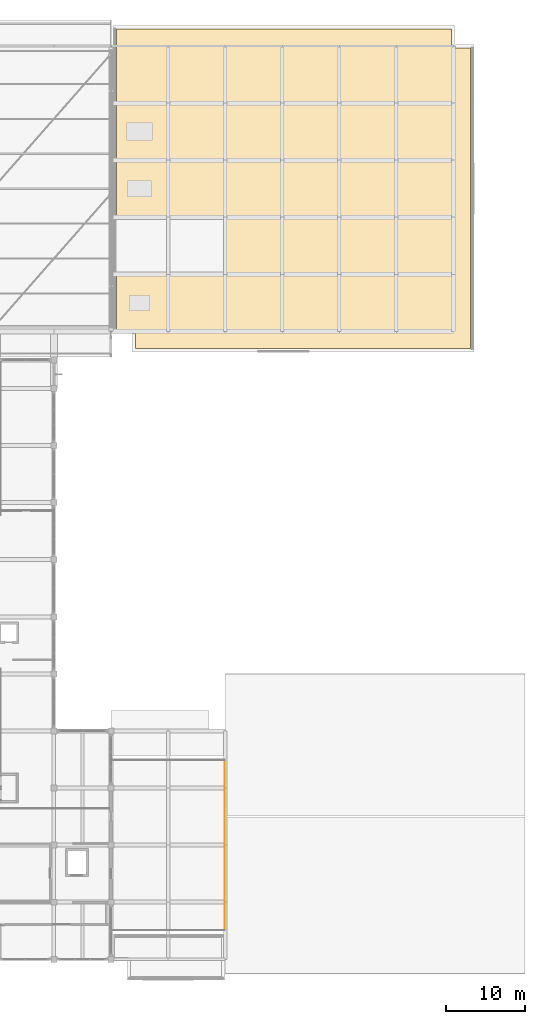
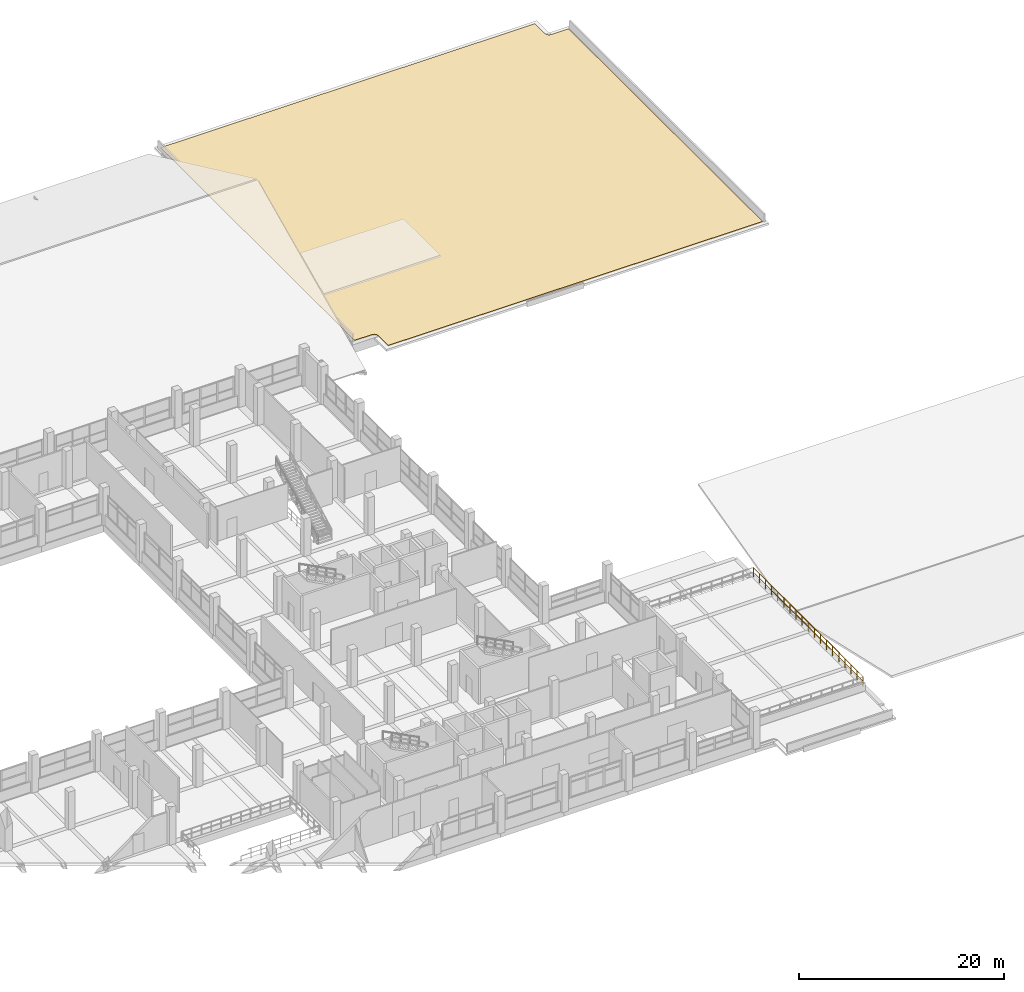
# One storey, part 141 of 141: 1 covering, 1 railing.
"""IFC4 building model written with IfcOpenShell, lengths in metres."""

from ifc_helpers import new_model, si_unit, direction, frame, origin, origin_2d, place, context, subcontext, project, spatial, polyline, circle, outline, extrude, material, layer, layer_set, type_object, element, save


model = new_model("IFC4")

# Units and contexts
model_context = context("Model", 3, precision=1e-05, world=origin(), true_north=direction((0.0, 1.0)))
body_context = subcontext(model_context, "Body", "Model", "MODEL_VIEW")
ifc_project = project(units=[si_unit("LENGTHUNIT", "METRE"), si_unit("AREAUNIT", "SQUARE_METRE"), si_unit("VOLUMEUNIT", "CUBIC_METRE"), si_unit("PLANEANGLEUNIT", "RADIAN"), si_unit("MASSUNIT", "GRAM", prefix="KILO")], contexts=[model_context])

# Site, building, storey
site_placement = place(None, origin())
site = spatial("IfcSite", under=ifc_project, at=site_placement, CompositionType="ELEMENT")
building_placement = place(site_placement, origin())
building = spatial("IfcBuilding", under=site, at=building_placement, Name="Seraya Terrace Polytechnic", CompositionType="ELEMENT")
storey_placement = place(building_placement, frame((0.0, 0.0, 14.39990234375)))
storey = spatial("IfcBuildingStorey", under=building, at=storey_placement, Name="L03", CompositionType="ELEMENT", Elevation=14.39990234375)

# Railing
ifc_material_1 = material(Name="Steel S355J2", Category="steel")
railing_type = type_object("IfcRailingType", Name="GR-01", PredefinedType="GUARDRAIL", material=ifc_material_1)
railing_placement = place(storey_placement, frame((129.5400390625, 3.659912109375, 0.0)))
element("IfcRailing", 1, at=railing_placement, inside=storey, type_object=railing_type, Name="Terrace perimeter guardrail TERR-L03-SE E1", PredefinedType="GUARDRAIL", context=body_context, shape_type="SweptSolid", body=[
    extrude(circle(Radius=0.02392578125, at=origin_2d()), frame((0.0, 0.0, 1.10595703125), z_axis=(0.0, 1.0, 0.0), x_axis=(-1.0, 0.0, 0.0)), (0.0, 0.0, 1.0), 21.47998046875),
    extrude(circle(Radius=0.02392578125, at=origin_2d()), frame((0.0, 0.0, 0.550048828125), z_axis=(0.0, 1.0, 0.0), x_axis=(-1.0, 0.0, 0.0)), (0.0, 0.0, 1.0), 21.47998046875),
    extrude(circle(Radius=0.02099609375, at=origin_2d()), origin(), (0.0, 0.0, 1.0), 1.081787109375),
    extrude(circle(Radius=0.02099609375, at=origin_2d()), frame((0.0, 1.193359375, 0.0)), (0.0, 0.0, 1.0), 1.081787109375),
    extrude(circle(Radius=0.02099609375, at=origin_2d()), frame((0.0, 2.38671875, 0.0)), (0.0, 0.0, 1.0), 1.081787109375),
    extrude(circle(Radius=0.02099609375, at=origin_2d()), frame((0.0, 3.580078125, 0.0)), (0.0, 0.0, 1.0), 1.081787109375),
    extrude(circle(Radius=0.02099609375, at=origin_2d()), frame((0.0, 4.7734375, 0.0)), (0.0, 0.0, 1.0), 1.081787109375),
    extrude(circle(Radius=0.02099609375, at=origin_2d()), frame((0.0, 5.966552734375, 0.0)), (0.0, 0.0, 1.0), 1.081787109375),
    extrude(circle(Radius=0.02099609375, at=origin_2d()), frame((0.0, 7.159912109375, 0.0)), (0.0, 0.0, 1.0), 1.081787109375),
    extrude(circle(Radius=0.02099609375, at=origin_2d()), frame((0.0, 8.353271484375, 0.0)), (0.0, 0.0, 1.0), 1.081787109375),
    extrude(circle(Radius=0.02099609375, at=origin_2d()), frame((0.0, 9.546630859375, 0.0)), (0.0, 0.0, 1.0), 1.081787109375),
    extrude(circle(Radius=0.02099609375, at=origin_2d()), frame((0.0, 10.739990234375, 0.0)), (0.0, 0.0, 1.0), 1.081787109375),
    extrude(circle(Radius=0.02099609375, at=origin_2d()), frame((0.0, 11.933349609375, 0.0)), (0.0, 0.0, 1.0), 1.081787109375),
    extrude(circle(Radius=0.02099609375, at=origin_2d()), frame((0.0, 13.126708984375, 0.0)), (0.0, 0.0, 1.0), 1.081787109375),
    extrude(circle(Radius=0.02099609375, at=origin_2d()), frame((0.0, 14.320068359375, 0.0)), (0.0, 0.0, 1.0), 1.081787109375),
    extrude(circle(Radius=0.02099609375, at=origin_2d()), frame((0.0, 15.513427734375, 0.0)), (0.0, 0.0, 1.0), 1.081787109375),
    extrude(circle(Radius=0.02099609375, at=origin_2d()), frame((0.0, 16.70654296875, 0.0)), (0.0, 0.0, 1.0), 1.081787109375),
    extrude(circle(Radius=0.02099609375, at=origin_2d()), frame((0.0, 17.89990234375, 0.0)), (0.0, 0.0, 1.0), 1.081787109375),
    extrude(circle(Radius=0.02099609375, at=origin_2d()), frame((0.0, 19.09326171875, 0.0)), (0.0, 0.0, 1.0), 1.081787109375),
    extrude(circle(Radius=0.02099609375, at=origin_2d()), frame((0.0, 20.28662109375, 0.0)), (0.0, 0.0, 1.0), 1.081787109375),
    extrude(circle(Radius=0.02099609375, at=origin_2d()), frame((0.0, 21.47998046875, 0.0)), (0.0, 0.0, 1.0), 1.081787109375),
])

# Covering
ifc_material_2 = material(Name="Insulated TPO waterproof roofing membrane")
ifc_layer = layer(ifc_material_2, 0.06005859375, Name="RF-C1")
ifc_layer_set = layer_set([ifc_layer], Name="Insulated TPO waterproof roofing membrane")
covering_type = type_object("IfcCoveringType", Name="RF-C1", PredefinedType="ROOFING", material=ifc_layer_set)
covering_placement = place(storey_placement, origin())
element("IfcCovering", 2, at=covering_placement, inside=storey, type_object=covering_type, Name="Waterproof TPO roof covering ROOF-L03-V1ANNEX", PredefinedType="ROOFING", context=body_context, shape_type="SweptSolid", body=[
    extrude(outline(polyline([(118.300048828125, 79.0), (118.265625, 79.172119140625), (118.197998046875, 79.285400390625), (118.10009765625, 79.374267578125), (117.937744140625, 79.44140625), (115.89990234375, 79.449951171875), (115.89990234375, 117.35009765625), (158.14990234375, 117.35009765625), (158.152099609375, 115.35595703125), (158.203125, 115.18798828125), (158.28173828125, 115.081787109375), (158.427734375, 114.984375), (158.555908203125, 114.9521484375), (160.550048828125, 114.949951171875), (160.550048828125, 77.050048828125), (118.300048828125, 77.050048828125), (118.300048828125, 79.0)])), origin(), (0.0, 0.0, 1.0), 0.06005859375),
])

save(model, "model.ifc")
